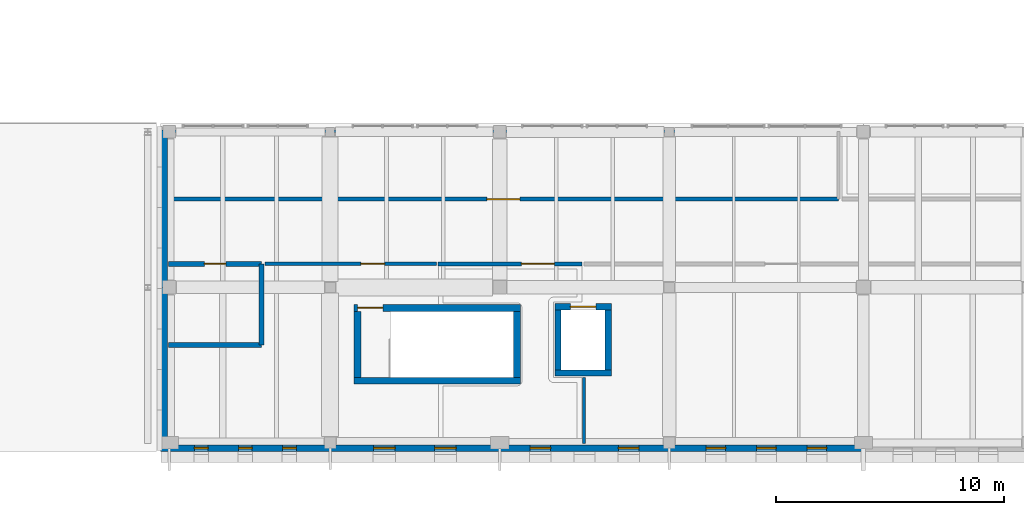
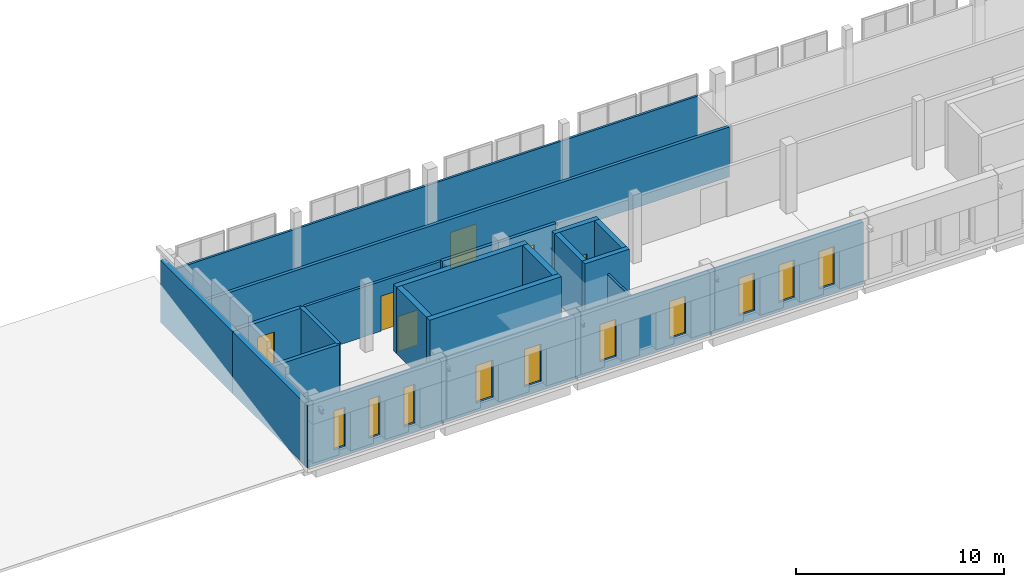
# One storey, part 39 of 56: 22 walls, 10 windows, 6 doors, 16 openings.
"""IFC4 building model written with IfcOpenShell, lengths in metres."""

from ifc_helpers import new_model, si_unit, direction, frame, frame_2d, origin, place, context, subcontext, project, spatial, rectangle, extrude, material, layer, layer_set, type_object, element, fill, save


model = new_model("IFC4")

# Units and contexts
model_context = context("Model", 3, precision=1e-05, world=origin(), true_north=direction((0.0, 1.0)))
body_context = subcontext(model_context, "Body", "Model", "MODEL_VIEW")
ifc_project = project(units=[si_unit("LENGTHUNIT", "METRE"), si_unit("AREAUNIT", "SQUARE_METRE"), si_unit("VOLUMEUNIT", "CUBIC_METRE"), si_unit("PLANEANGLEUNIT", "RADIAN"), si_unit("MASSUNIT", "GRAM", prefix="KILO")], contexts=[model_context])

# Site, building, storey
site_placement = place(None, origin())
site = spatial("IfcSite", under=ifc_project, at=site_placement, CompositionType="ELEMENT")
building_placement = place(site_placement, origin())
building = spatial("IfcBuilding", under=site, at=building_placement, Name="Vardoun Plaza Health Centre", CompositionType="ELEMENT")
storey_placement = place(building_placement, frame((0.0, 0.0, 8.699951171875)))
storey = spatial("IfcBuildingStorey", under=building, at=storey_placement, Name="L02", CompositionType="ELEMENT", Elevation=8.699951171875)

# Walls
ifc_material_1 = material(Name="Concrete C40/50", Category="concrete")
ifc_layer_1 = layer(ifc_material_1, 0.27001953125)
ifc_layer_set_1 = layer_set([ifc_layer_1], Name="Concrete C40/50")
wall_type_1 = type_object("IfcWallType", Name="SW-03", PredefinedType="SHEAR", material=ifc_layer_set_1)
wall_1_placement = place(storey_placement, frame((125.43505859375, 7.949951171875, 0.0), z_axis=(0.0, 0.0, 1.0), x_axis=(-1.0, 0.0, 0.0)))
element("IfcWall", 1, at=wall_1_placement, inside=storey, type_object=wall_type_1, Name="Lift LP-04 L02 Shaft Wall S", PredefinedType="SHEAR", context=body_context, shape_type="SweptSolid", body=[
    extrude(rectangle(XDim=2.469970703125, YDim=0.27001953125, at=frame_2d((1.23486328125, 0.0))), origin(), (0.0, 0.0, 1.0), 3.905029296875),
])
wall_2_placement = place(storey_placement, frame((123.10009765625, 8.0849609375, 0.0), z_axis=(0.0, 0.0, 1.0), x_axis=(0.0, 1.0, 0.0)))
element("IfcWall", 2, at=wall_2_placement, inside=storey, type_object=wall_type_1, Name="Lift LP-04 L02 Shaft Wall W", PredefinedType="SHEAR", context=body_context, shape_type="SweptSolid", body=[
    extrude(rectangle(XDim=2.630126953125, YDim=0.27001953125, at=frame_2d((1.31494140625, 0.0))), origin(), (0.0, 0.0, 1.0), 3.905029296875),
])

# Wall, opening, door
wall_3_placement = place(storey_placement, frame((122.965087890625, 10.85009765625, 0.0), z_axis=(0.0, 0.0, 1.0), x_axis=(1.0, 0.0, 0.0)))
wall_3 = element("IfcWall", 3, at=wall_3_placement, inside=storey, type_object=wall_type_1, Name="Lift LP-04 L02 Shaft Wall N", PredefinedType="SHEAR", context=body_context, shape_type="SweptSolid", body=[
    extrude(rectangle(XDim=2.469970703125, YDim=0.27001953125, at=frame_2d((1.23486328125, 0.0))), origin(), (0.0, 0.0, 1.0), 3.905029296875),
])
opening_1_placement = place(wall_3_placement, frame((0.675048828125, 0.0, 0.0)))
opening_1 = element("IfcOpeningElement", 4, at=opening_1_placement, cuts=wall_3, Name="Opening LD-LP-04-L02", PredefinedType="OPENING", context=body_context, shape_type="SweptSolid", body=[
    extrude(rectangle(XDim=1.1201171875, YDim=2.10009765625, at=frame_2d((0.56005859375, 1.050048828125))), frame((0.0, 0.135009765625, 0.0), z_axis=(0.0, -1.0, 0.0), x_axis=(1.0, 0.0, 0.0)), (0.0, 0.0, 1.0), 0.27001953125),
])
ifc_material_2 = material(Name="Brushed Stainless Steel Grade 316L", Category="steel")
door_type_1 = type_object("IfcDoorType", Name="LD-01", OperationType="DOUBLE_DOOR_SLIDING", PredefinedType="DOOR", material=ifc_material_2)
door_1_placement = place(opening_1_placement, origin())
door_1 = element("IfcDoor", 5, at=door_1_placement, inside=storey, type_object=door_type_1, Name="Lift LP-04 L02 Sliding Landing Door", OperationType="DOUBLE_DOOR_SLIDING", OverallHeight=2.10009765625, OverallWidth=1.1201171875, PredefinedType="DOOR", context=body_context, shape_type="SweptSolid", body=[
    extrude(rectangle(XDim=1.1201171875, YDim=2.10009765625, at=frame_2d((0.56005859375, 1.050048828125))), frame((0.0, 0.02490234375, 0.0), z_axis=(0.0, -1.0, 0.0), x_axis=(1.0, 0.0, 0.0)), (0.0, 0.0, 1.0), 0.050048828125),
])
fill(opening_1, door_1)

# Walls
wall_4_placement = place(storey_placement, frame((125.300048828125, 10.715087890625, 0.0), z_axis=(0.0, 0.0, 1.0), x_axis=(0.0, -1.0, 0.0)))
element("IfcWall", 6, at=wall_4_placement, inside=storey, type_object=wall_type_1, Name="Lift LP-04 L02 Shaft Wall E", PredefinedType="SHEAR", context=body_context, shape_type="SweptSolid", body=[
    extrude(rectangle(XDim=2.630126953125, YDim=0.27001953125, at=frame_2d((1.31494140625, 0.0))), origin(), (0.0, 0.0, 1.0), 3.905029296875),
])
ifc_material_3 = material(Name="Concrete C40/50", Category="concrete")
ifc_layer_2 = layer(ifc_material_3, 0.300048828125)
ifc_layer_set_2 = layer_set([ifc_layer_2], Name="Concrete C40/50")
wall_type_2 = type_object("IfcWallType", Name="SW-01", PredefinedType="SHEAR", material=ifc_layer_set_2)
wall_5_placement = place(storey_placement, frame((121.449951171875, 7.60009765625, 0.0), z_axis=(0.0, 0.0, 1.0), x_axis=(-1.0, 0.0, 0.0)))
element("IfcWall", 7, at=wall_5_placement, inside=storey, type_object=wall_type_2, Name="Core C8 L02 Shear Wall S", PredefinedType="SHEAR", context=body_context, shape_type="SweptSolid", body=[
    extrude(rectangle(XDim=7.300048828125, YDim=0.300048828125, at=frame_2d((3.64990234375, 0.0))), origin(), (0.0, 0.0, 1.0), 3.905029296875),
])
wall_6_placement = place(storey_placement, frame((114.300048828125, 7.75, 0.0), z_axis=(0.0, 0.0, 1.0), x_axis=(0.0, 1.0, 0.0)))
element("IfcWall", 8, at=wall_6_placement, inside=storey, type_object=wall_type_2, Name="Core C8 L02 Shear Wall W", PredefinedType="SHEAR", context=body_context, shape_type="SweptSolid", body=[
    extrude(rectangle(XDim=2.89990234375, YDim=0.300048828125, at=frame_2d((1.449951171875, 0.0))), origin(), (0.0, 0.0, 1.0), 3.905029296875),
])

# Wall, opening, door
wall_7_placement = place(storey_placement, frame((114.14990234375, 10.800048828125, 0.0), z_axis=(0.0, 0.0, 1.0), x_axis=(1.0, 0.0, 0.0)))
wall_7 = element("IfcWall", 9, at=wall_7_placement, inside=storey, type_object=wall_type_2, Name="Core C8 L02 Shear Wall N", PredefinedType="SHEAR", context=body_context, shape_type="SweptSolid", body=[
    extrude(rectangle(XDim=7.300048828125, YDim=0.300048828125, at=frame_2d((3.64990234375, 0.0))), origin(), (0.0, 0.0, 1.0), 3.905029296875),
])
opening_2_placement = place(wall_7_placement, frame((0.159912109375, 0.0, 0.0)))
opening_2 = element("IfcOpeningElement", 10, at=opening_2_placement, cuts=wall_7, Name="Opening SD-C8-L02", PredefinedType="OPENING", context=body_context, shape_type="SweptSolid", body=[
    extrude(rectangle(XDim=1.10009765625, YDim=2.050048828125, at=frame_2d((0.550048828125, 1.02490234375))), frame((0.0, 0.14990234375, 0.0), z_axis=(0.0, -1.0, 0.0), x_axis=(1.0, 0.0, 0.0)), (0.0, 0.0, 1.0), 0.300048828125),
])
ifc_material_4 = material(Name="Brushed Stainless Steel Grade 316L", Category="steel")
door_type_2 = type_object("IfcDoorType", Name="FD-01", OperationType="NOTDEFINED", PredefinedType="DOOR", material=ifc_material_4)
door_2_placement = place(opening_2_placement, origin())
door_2 = element("IfcDoor", 11, at=door_2_placement, inside=storey, type_object=door_type_2, Name="Stair C8 L02 Fire Door", OperationType="SINGLE_SWING_RIGHT", OverallHeight=2.050048828125, OverallWidth=1.10009765625, PredefinedType="DOOR", context=body_context, shape_type="SweptSolid", body=[
    extrude(rectangle(XDim=1.10009765625, YDim=2.050048828125, at=frame_2d((0.550048828125, 1.02490234375))), frame((0.0, 0.02490234375, 0.0), z_axis=(0.0, -1.0, 0.0), x_axis=(1.0, 0.0, 0.0)), (0.0, 0.0, 1.0), 0.050048828125),
])
fill(opening_2, door_2)

# Wall
wall_8_placement = place(storey_placement, frame((121.300048828125, 10.64990234375, 0.0), z_axis=(0.0, 0.0, 1.0), x_axis=(0.0, -1.0, 0.0)))
element("IfcWall", 12, at=wall_8_placement, inside=storey, type_object=wall_type_2, Name="Core C8 L02 Shear Wall E", PredefinedType="SHEAR", context=body_context, shape_type="SweptSolid", body=[
    extrude(rectangle(XDim=2.89990234375, YDim=0.300048828125, at=frame_2d((1.449951171875, 0.0))), origin(), (0.0, 0.0, 1.0), 3.905029296875),
])

# Wall, openings, windows
ifc_material_5 = material(Name="Pale Limestone Concrete C35/45", Category="masonry")
ifc_layer_3 = layer(ifc_material_5, 0.294921875)
ifc_layer_set_3 = layer_set([ifc_layer_3], Name="Pale Limestone Concrete C35/45")
wall_type_3 = type_object("IfcWallType", Name="EW-04", PredefinedType="STANDARD", material=ifc_layer_set_3)
wall_9_placement = place(storey_placement, frame((136.5, 4.6474609375, 0.0), z_axis=(0.0, 0.0, 1.0), x_axis=(-1.0, 0.0, 0.0)))
wall_9 = element("IfcWall", 13, at=wall_9_placement, inside=storey, type_object=wall_type_3, Name="V5 L02 Exterior Wall EW-V5-398", PredefinedType="STANDARD", context=body_context, shape_type="SweptSolid", body=[
    extrude(rectangle(XDim=8.52001953125, YDim=0.294921875, at=frame_2d((4.260009765625, 0.0))), origin(), (0.0, 0.0, 1.0), 3.6318359375),
])
opening_3_placement = place(wall_9_placement, frame((1.61474609375, 0.0, 0.550048828125)))
opening_3 = element("IfcOpeningElement", 14, at=opening_3_placement, cuts=wall_9, Name="Opening W-08-011", PredefinedType="OPENING", context=body_context, shape_type="SweptSolid", body=[
    extrude(rectangle(XDim=0.860107421875, YDim=2.199951171875, at=frame_2d((0.43017578125, 1.10009765625))), frame((0.0, 0.1474609375, 0.0), z_axis=(0.0, -1.0, 0.0), x_axis=(1.0, 0.0, 0.0)), (0.0, 0.0, 1.0), 0.294921875),
])
opening_4_placement = place(wall_9_placement, frame((3.830078125, 0.0, 0.550048828125)))
opening_4 = element("IfcOpeningElement", 15, at=opening_4_placement, cuts=wall_9, Name="Opening W-08-012", PredefinedType="OPENING", context=body_context, shape_type="SweptSolid", body=[
    extrude(rectangle(XDim=0.860107421875, YDim=2.199951171875, at=frame_2d((0.43017578125, 1.10009765625))), frame((0.0, 0.1474609375, 0.0), z_axis=(0.0, -1.0, 0.0), x_axis=(1.0, 0.0, 0.0)), (0.0, 0.0, 1.0), 0.294921875),
])
opening_5_placement = place(wall_9_placement, frame((6.045166015625, 0.0, 0.550048828125)))
opening_5 = element("IfcOpeningElement", 16, at=opening_5_placement, cuts=wall_9, Name="Opening W-08-013", PredefinedType="OPENING", context=body_context, shape_type="SweptSolid", body=[
    extrude(rectangle(XDim=0.860107421875, YDim=2.199951171875, at=frame_2d((0.43017578125, 1.10009765625))), frame((0.0, 0.1474609375, 0.0), z_axis=(0.0, -1.0, 0.0), x_axis=(1.0, 0.0, 0.0)), (0.0, 0.0, 1.0), 0.294921875),
])
ifc_material_6 = material(Name="Aluminium Alloy EN AW-6063-T6 and Low-E Glass", Category="aluminium")
window_type_1 = type_object("IfcWindowType", Name="W-08", PartitioningType="SINGLE_PANEL", PredefinedType="WINDOW", material=ifc_material_6)
window_1_placement = place(opening_3_placement, origin())
window_1 = element("IfcWindow", 17, at=window_1_placement, inside=storey, type_object=window_type_1, Name="V5 L02 Deep-Punched Slot Window W-08-614", OverallHeight=2.199951171875, OverallWidth=0.860107421875, PartitioningType="SINGLE_PANEL", PredefinedType="WINDOW", context=body_context, shape_type="SweptSolid", body=[
    extrude(rectangle(XDim=0.860107421875, YDim=2.199951171875, at=frame_2d((0.43017578125, 1.10009765625))), frame((0.0, 0.030029296875, 0.0), z_axis=(0.0, -1.0, 0.0), x_axis=(1.0, 0.0, 0.0)), (0.0, 0.0, 1.0), 0.06005859375),
])
fill(opening_3, window_1)
window_2_placement = place(opening_4_placement, origin())
window_2 = element("IfcWindow", 18, at=window_2_placement, inside=storey, type_object=window_type_1, Name="V5 L02 Deep-Punched Slot Window W-08-615", OverallHeight=2.199951171875, OverallWidth=0.860107421875, PartitioningType="SINGLE_PANEL", PredefinedType="WINDOW", context=body_context, shape_type="SweptSolid", body=[
    extrude(rectangle(XDim=0.860107421875, YDim=2.199951171875, at=frame_2d((0.43017578125, 1.10009765625))), frame((0.0, 0.030029296875, 0.0), z_axis=(0.0, -1.0, 0.0), x_axis=(1.0, 0.0, 0.0)), (0.0, 0.0, 1.0), 0.06005859375),
])
fill(opening_4, window_2)
window_3_placement = place(opening_5_placement, origin())
window_3 = element("IfcWindow", 19, at=window_3_placement, inside=storey, type_object=window_type_1, Name="V5 L02 Deep-Punched Slot Window W-08-616", OverallHeight=2.199951171875, OverallWidth=0.860107421875, PartitioningType="SINGLE_PANEL", PredefinedType="WINDOW", context=body_context, shape_type="SweptSolid", body=[
    extrude(rectangle(XDim=0.860107421875, YDim=2.199951171875, at=frame_2d((0.43017578125, 1.10009765625))), frame((0.0, 0.030029296875, 0.0), z_axis=(0.0, -1.0, 0.0), x_axis=(1.0, 0.0, 0.0)), (0.0, 0.0, 1.0), 0.06005859375),
])
fill(opening_5, window_3)

wall_10_placement = place(storey_placement, frame((127.97998046875, 4.6474609375, 0.0), z_axis=(0.0, 0.0, 1.0), x_axis=(-1.0, 0.0, 0.0)))
wall_10 = element("IfcWall", 20, at=wall_10_placement, inside=storey, type_object=wall_type_3, Name="V5 L02 Exterior Wall EW-V5-399", PredefinedType="STANDARD", context=body_context, shape_type="SweptSolid", body=[
    extrude(rectangle(XDim=7.43994140625, YDim=0.294921875, at=frame_2d((3.719970703125, 0.0))), origin(), (0.0, 0.0, 1.0), 3.6318359375),
])
opening_6_placement = place(wall_10_placement, frame((1.335693359375, 0.0, 0.550048828125)))
opening_6 = element("IfcOpeningElement", 21, at=opening_6_placement, cuts=wall_10, Name="Opening W-09-010", PredefinedType="OPENING", context=body_context, shape_type="SweptSolid", body=[
    extrude(rectangle(XDim=0.89990234375, YDim=2.179931640625, at=frame_2d((0.449951171875, 1.08984375))), frame((0.0, 0.1474609375, 0.0), z_axis=(0.0, -1.0, 0.0), x_axis=(1.0, 0.0, 0.0)), (0.0, 0.0, 1.0), 0.294921875),
])
opening_7_placement = place(wall_10_placement, frame((5.204345703125, 0.0, 0.550048828125)))
opening_7 = element("IfcOpeningElement", 22, at=opening_7_placement, cuts=wall_10, Name="Opening W-09-011", PredefinedType="OPENING", context=body_context, shape_type="SweptSolid", body=[
    extrude(rectangle(XDim=0.89990234375, YDim=2.179931640625, at=frame_2d((0.449951171875, 1.08984375))), frame((0.0, 0.1474609375, 0.0), z_axis=(0.0, -1.0, 0.0), x_axis=(1.0, 0.0, 0.0)), (0.0, 0.0, 1.0), 0.294921875),
])
ifc_material_7 = material(Name="Aluminium Alloy EN AW-6063-T6 and Low-E Glass", Category="aluminium")
window_type_2 = type_object("IfcWindowType", Name="W-09", PartitioningType="DOUBLE_PANEL_VERTICAL", PredefinedType="WINDOW", material=ifc_material_7)
window_4_placement = place(opening_6_placement, origin())
window_4 = element("IfcWindow", 23, at=window_4_placement, inside=storey, type_object=window_type_2, Name="V5 L02 Deep-Punched Slot Window W-09-617", OverallHeight=2.179931640625, OverallWidth=0.89990234375, PartitioningType="DOUBLE_PANEL_VERTICAL", PredefinedType="WINDOW", context=body_context, shape_type="SweptSolid", body=[
    extrude(rectangle(XDim=0.89990234375, YDim=2.179931640625, at=frame_2d((0.449951171875, 1.08984375))), frame((0.0, 0.030029296875, 0.0), z_axis=(0.0, -1.0, 0.0), x_axis=(1.0, 0.0, 0.0)), (0.0, 0.0, 1.0), 0.06005859375),
])
fill(opening_6, window_4)
window_5_placement = place(opening_7_placement, origin())
window_5 = element("IfcWindow", 24, at=window_5_placement, inside=storey, type_object=window_type_2, Name="V5 L02 Deep-Punched Slot Window W-09-619", OverallHeight=2.179931640625, OverallWidth=0.89990234375, PartitioningType="DOUBLE_PANEL_VERTICAL", PredefinedType="WINDOW", context=body_context, shape_type="SweptSolid", body=[
    extrude(rectangle(XDim=0.89990234375, YDim=2.179931640625, at=frame_2d((0.449951171875, 1.08984375))), frame((0.0, 0.030029296875, 0.0), z_axis=(0.0, -1.0, 0.0), x_axis=(1.0, 0.0, 0.0)), (0.0, 0.0, 1.0), 0.06005859375),
])
fill(opening_7, window_5)

wall_11_placement = place(storey_placement, frame((120.5400390625, 4.6474609375, 0.0), z_axis=(0.0, 0.0, 1.0), x_axis=(-1.0, 0.0, 0.0)))
wall_11 = element("IfcWall", 25, at=wall_11_placement, inside=storey, type_object=wall_type_3, Name="V5 L02 Exterior Wall EW-V5-400", PredefinedType="STANDARD", context=body_context, shape_type="SweptSolid", body=[
    extrude(rectangle(XDim=7.43994140625, YDim=0.294921875, at=frame_2d((3.719970703125, 0.0))), origin(), (0.0, 0.0, 1.0), 3.6318359375),
])
opening_8_placement = place(wall_11_placement, frame((1.910888671875, 0.0, 0.550048828125)))
opening_8 = element("IfcOpeningElement", 26, at=opening_8_placement, cuts=wall_11, Name="Opening W-10-007", PredefinedType="OPENING", context=body_context, shape_type="SweptSolid", body=[
    extrude(rectangle(XDim=0.93994140625, YDim=2.179931640625, at=frame_2d((0.469970703125, 1.08984375))), frame((0.0, 0.1474609375, 0.0), z_axis=(0.0, -1.0, 0.0), x_axis=(1.0, 0.0, 0.0)), (0.0, 0.0, 1.0), 0.294921875),
])
opening_9_placement = place(wall_11_placement, frame((4.589111328125, 0.0, 0.550048828125)))
opening_9 = element("IfcOpeningElement", 27, at=opening_9_placement, cuts=wall_11, Name="Opening W-10-008", PredefinedType="OPENING", context=body_context, shape_type="SweptSolid", body=[
    extrude(rectangle(XDim=0.93994140625, YDim=2.179931640625, at=frame_2d((0.469970703125, 1.08984375))), frame((0.0, 0.1474609375, 0.0), z_axis=(0.0, -1.0, 0.0), x_axis=(1.0, 0.0, 0.0)), (0.0, 0.0, 1.0), 0.294921875),
])
ifc_material_8 = material(Name="Aluminium Alloy EN AW-6063-T6 and Low-E Glass", Category="aluminium")
window_type_3 = type_object("IfcWindowType", Name="W-10", PartitioningType="DOUBLE_PANEL_VERTICAL", PredefinedType="WINDOW", material=ifc_material_8)
window_6_placement = place(opening_8_placement, origin())
window_6 = element("IfcWindow", 28, at=window_6_placement, inside=storey, type_object=window_type_3, Name="V5 L02 Deep-Punched Slot Window W-10-620", OverallHeight=2.179931640625, OverallWidth=0.93994140625, PartitioningType="DOUBLE_PANEL_VERTICAL", PredefinedType="WINDOW", context=body_context, shape_type="SweptSolid", body=[
    extrude(rectangle(XDim=0.93994140625, YDim=2.179931640625, at=frame_2d((0.469970703125, 1.08984375))), frame((0.0, 0.030029296875, 0.0), z_axis=(0.0, -1.0, 0.0), x_axis=(1.0, 0.0, 0.0)), (0.0, 0.0, 1.0), 0.06005859375),
])
fill(opening_8, window_6)
window_7_placement = place(opening_9_placement, origin())
window_7 = element("IfcWindow", 29, at=window_7_placement, inside=storey, type_object=window_type_3, Name="V5 L02 Deep-Punched Slot Window W-10-621", OverallHeight=2.179931640625, OverallWidth=0.93994140625, PartitioningType="DOUBLE_PANEL_VERTICAL", PredefinedType="WINDOW", context=body_context, shape_type="SweptSolid", body=[
    extrude(rectangle(XDim=0.93994140625, YDim=2.179931640625, at=frame_2d((0.469970703125, 1.08984375))), frame((0.0, 0.030029296875, 0.0), z_axis=(0.0, -1.0, 0.0), x_axis=(1.0, 0.0, 0.0)), (0.0, 0.0, 1.0), 0.06005859375),
])
fill(opening_9, window_7)

wall_12_placement = place(storey_placement, frame((113.10009765625, 4.6474609375, 0.0), z_axis=(0.0, 0.0, 1.0), x_axis=(-1.0, 0.0, 0.0)))
wall_12 = element("IfcWall", 30, at=wall_12_placement, inside=storey, type_object=wall_type_3, Name="V5 L02 Exterior Wall EW-V5-401", PredefinedType="STANDARD", context=body_context, shape_type="SweptSolid", body=[
    extrude(rectangle(XDim=7.440185546875, YDim=0.294921875, at=frame_2d((3.72021484375, 0.0))), origin(), (0.0, 0.0, 1.0), 3.6318359375),
])
opening_10_placement = place(wall_12_placement, frame((1.485595703125, 0.0, 0.550048828125)))
opening_10 = element("IfcOpeningElement", 31, at=opening_10_placement, cuts=wall_12, Name="Opening W-11-017", PredefinedType="OPENING", context=body_context, shape_type="SweptSolid", body=[
    extrude(rectangle(XDim=0.60009765625, YDim=2.280029296875, at=frame_2d((0.300048828125, 1.14013671875))), frame((0.0, 0.1474609375, 0.0), z_axis=(0.0, -1.0, 0.0), x_axis=(1.0, 0.0, 0.0)), (0.0, 0.0, 1.0), 0.294921875),
])
opening_11_placement = place(wall_12_placement, frame((3.419921875, 0.0, 0.550048828125)))
opening_11 = element("IfcOpeningElement", 32, at=opening_11_placement, cuts=wall_12, Name="Opening W-11-018", PredefinedType="OPENING", context=body_context, shape_type="SweptSolid", body=[
    extrude(rectangle(XDim=0.60009765625, YDim=2.280029296875, at=frame_2d((0.300048828125, 1.14013671875))), frame((0.0, 0.1474609375, 0.0), z_axis=(0.0, -1.0, 0.0), x_axis=(1.0, 0.0, 0.0)), (0.0, 0.0, 1.0), 0.294921875),
])
opening_12_placement = place(wall_12_placement, frame((5.3544921875, 0.0, 0.550048828125)))
opening_12 = element("IfcOpeningElement", 33, at=opening_12_placement, cuts=wall_12, Name="Opening W-11-019", PredefinedType="OPENING", context=body_context, shape_type="SweptSolid", body=[
    extrude(rectangle(XDim=0.60009765625, YDim=2.280029296875, at=frame_2d((0.300048828125, 1.14013671875))), frame((0.0, 0.1474609375, 0.0), z_axis=(0.0, -1.0, 0.0), x_axis=(1.0, 0.0, 0.0)), (0.0, 0.0, 1.0), 0.294921875),
])
ifc_material_9 = material(Name="Aluminium Alloy EN AW-6063-T6 and Low-E Glass", Category="aluminium")
window_type_4 = type_object("IfcWindowType", Name="W-11", PartitioningType="SINGLE_PANEL", PredefinedType="WINDOW", material=ifc_material_9)
window_8_placement = place(opening_10_placement, origin())
window_8 = element("IfcWindow", 34, at=window_8_placement, inside=storey, type_object=window_type_4, Name="V5 L02 Deep-Punched Slot Window W-11-622", OverallHeight=2.280029296875, OverallWidth=0.60009765625, PartitioningType="SINGLE_PANEL", PredefinedType="WINDOW", context=body_context, shape_type="SweptSolid", body=[
    extrude(rectangle(XDim=0.60009765625, YDim=2.280029296875, at=frame_2d((0.300048828125, 1.14013671875))), frame((0.0, 0.030029296875, 0.0), z_axis=(0.0, -1.0, 0.0), x_axis=(1.0, 0.0, 0.0)), (0.0, 0.0, 1.0), 0.06005859375),
])
fill(opening_10, window_8)
window_9_placement = place(opening_11_placement, origin())
window_9 = element("IfcWindow", 35, at=window_9_placement, inside=storey, type_object=window_type_4, Name="V5 L02 Deep-Punched Slot Window W-11-623", OverallHeight=2.280029296875, OverallWidth=0.60009765625, PartitioningType="SINGLE_PANEL", PredefinedType="WINDOW", context=body_context, shape_type="SweptSolid", body=[
    extrude(rectangle(XDim=0.60009765625, YDim=2.280029296875, at=frame_2d((0.300048828125, 1.14013671875))), frame((0.0, 0.030029296875, 0.0), z_axis=(0.0, -1.0, 0.0), x_axis=(1.0, 0.0, 0.0)), (0.0, 0.0, 1.0), 0.06005859375),
])
fill(opening_11, window_9)
window_10_placement = place(opening_12_placement, origin())
window_10 = element("IfcWindow", 36, at=window_10_placement, inside=storey, type_object=window_type_4, Name="V5 L02 Deep-Punched Slot Window W-11-624", OverallHeight=2.280029296875, OverallWidth=0.60009765625, PartitioningType="SINGLE_PANEL", PredefinedType="WINDOW", context=body_context, shape_type="SweptSolid", body=[
    extrude(rectangle(XDim=0.60009765625, YDim=2.280029296875, at=frame_2d((0.300048828125, 1.14013671875))), frame((0.0, 0.030029296875, 0.0), z_axis=(0.0, -1.0, 0.0), x_axis=(1.0, 0.0, 0.0)), (0.0, 0.0, 1.0), 0.06005859375),
])
fill(opening_12, window_10)

# Walls
for number, where, z_axis, x_axis, name in (
    (37, (105.8076171875, 4.794921875, 0.0), (0.0, 0.0, 1.0), (0.0, 1.0, 0.0), "V5 L02 Exterior Wall EW-V5-402"),
    (38, (105.8076171875, 11.699951171875, 0.0), (0.0, 0.0, 1.0), (0.0, 1.0, 0.0), "V5 L02 Exterior Wall EW-V5-403"),
):
    element("IfcWall", number, at=place(storey_placement, frame(where, z_axis=z_axis, x_axis=x_axis)), inside=storey, type_object=wall_type_3, Name=name, PredefinedType="STANDARD", context=body_context, shape_type="SweptSolid", body=[
        extrude(rectangle(XDim=6.905029296875, YDim=0.294921875, at=frame_2d((3.45263671875, 0.0))), origin(), (0.0, 0.0, 1.0), 3.6318359375),
    ])

# Wall, opening, door
ifc_material_10 = material(Name="Acoustic Gypsum Twin-Stud", Category="steel")
ifc_layer_4 = layer(ifc_material_10, 0.14990234375)
ifc_layer_set_4 = layer_set([ifc_layer_4], Name="Acoustic Gypsum Twin-Stud")
wall_type_4 = type_object("IfcWallType", Name="IW-04", PredefinedType="PARTITIONING", material=ifc_layer_set_4)
wall_13_placement = place(storey_placement, frame((110.2333984375, 12.72998046875, 0.0), z_axis=(0.0, 0.0, 1.0), x_axis=(1.0, 0.0, 0.0)))
wall_13 = element("IfcWall", 39, at=wall_13_placement, inside=storey, type_object=wall_type_4, Name="Step-Down Recovery Lounge Partition Wall", PredefinedType="PARTITIONING", context=body_context, shape_type="SweptSolid", body=[
    extrude(rectangle(XDim=7.526611328125, YDim=0.14990234375, at=frame_2d((3.76318359375, 0.0))), origin(), (0.0, 0.0, 1.0), 2.925048828125),
])
opening_13_placement = place(wall_13_placement, frame((4.21630859375, 0.0, 0.0)))
opening_13 = element("IfcOpeningElement", 40, at=opening_13_placement, cuts=wall_13, Name="Opening D-L02-153", PredefinedType="OPENING", context=body_context, shape_type="SweptSolid", body=[
    extrude(rectangle(XDim=1.0400390625, YDim=2.050048828125, at=frame_2d((0.52001953125, 1.02490234375))), frame((0.0, 0.074951171875, 0.0), z_axis=(0.0, -1.0, 0.0), x_axis=(1.0, 0.0, 0.0)), (0.0, 0.0, 1.0), 0.14990234375),
])
ifc_material_11 = material(Name="Antimicrobial Acoustic Timber and Steel S275JR", Category="steel")
door_type_3 = type_object("IfcDoorType", Name="CD-04", OperationType="NOTDEFINED", PredefinedType="DOOR", material=ifc_material_11)
door_3_placement = place(opening_13_placement, origin())
door_3 = element("IfcDoor", 41, at=door_3_placement, inside=storey, type_object=door_type_3, Name="Step-Down Recovery Lounge Door D-L02-153", OperationType="SINGLE_SWING_RIGHT", OverallHeight=2.050048828125, OverallWidth=1.0400390625, PredefinedType="DOOR", context=body_context, shape_type="SweptSolid", body=[
    extrude(rectangle(XDim=1.0400390625, YDim=2.050048828125, at=frame_2d((0.52001953125, 1.02490234375))), frame((0.0, 0.02490234375, 0.0), z_axis=(0.0, -1.0, 0.0), x_axis=(1.0, 0.0, 0.0)), (0.0, 0.0, 1.0), 0.050048828125),
])
fill(opening_13, door_3)

# Walls
ifc_material_12 = material(Name="Standard Clinical Sub-Partition", Category="steel")
ifc_layer_5 = layer(ifc_material_12, 0.125)
ifc_layer_set_5 = layer_set([ifc_layer_5], Name="Standard Clinical Sub-Partition")
wall_type_5 = type_object("IfcWallType", Name="IW-11", PredefinedType="PARTITIONING", material=ifc_layer_set_5)
wall_14_placement = place(storey_placement, frame((124.239990234375, 4.85009765625, 0.0), z_axis=(0.0, 0.0, 1.0), x_axis=(0.0, 1.0, 0.0)))
element("IfcWall", 42, at=wall_14_placement, inside=storey, type_object=wall_type_5, Name="Day Surgery Operating Theatre 1 Enclosure Partition", PredefinedType="PARTITIONING", context=body_context, shape_type="SweptSolid", body=[
    extrude(rectangle(XDim=2.89990234375, YDim=0.125, at=frame_2d((1.449951171875, 0.0))), origin(), (0.0, 0.0, 1.0), 2.925048828125),
])
wall_15_placement = place(storey_placement, frame((106.010009765625, 18.550048828125, 0.0), z_axis=(0.0, 0.0, 1.0), x_axis=(1.0, 0.0, 0.0)))
element("IfcWall", 43, at=wall_15_placement, inside=storey, type_object=wall_type_5, Name="Day Surgery Operating Theatre 3 Enclosure Partition", PredefinedType="PARTITIONING", context=body_context, shape_type="SweptSolid", body=[
    extrude(rectangle(XDim=29.389892578125, YDim=0.125, at=frame_2d((14.69482421875, 0.0))), origin(), (0.0, 0.0, 1.0), 2.925048828125),
])

# Wall, opening, door
ifc_material_13 = material(Name="Moisture-Resistant Plumbing Chase", Category="steel")
ifc_layer_6 = layer(ifc_material_13, 0.215087890625)
ifc_layer_set_6 = layer_set([ifc_layer_6], Name="Moisture-Resistant Plumbing Chase")
wall_type_6 = type_object("IfcWallType", Name="IW-06", PredefinedType="PLUMBINGWALL", material=ifc_layer_set_6)
wall_16_placement = place(storey_placement, frame((106.010009765625, 12.72998046875, 0.0), z_axis=(0.0, 0.0, 1.0), x_axis=(1.0, 0.0, 0.0)))
wall_16 = element("IfcWall", 44, at=wall_16_placement, inside=storey, type_object=wall_type_6, Name="Accessible WC L02-V5 Partition Wall", PredefinedType="PLUMBINGWALL", context=body_context, shape_type="SweptSolid", body=[
    extrude(rectangle(XDim=4.08349609375, YDim=0.215087890625, at=frame_2d((2.041748046875, 0.0))), origin(), (0.0, 0.0, 1.0), 2.925048828125),
])
opening_14_placement = place(wall_16_placement, frame((1.56689453125, 0.0, 0.0)))
opening_14 = element("IfcOpeningElement", 45, at=opening_14_placement, cuts=wall_16, Name="Opening D-L02-148", PredefinedType="OPENING", context=body_context, shape_type="SweptSolid", body=[
    extrude(rectangle(XDim=0.949951171875, YDim=2.050048828125, at=frame_2d((0.47509765625, 1.02490234375))), frame((0.0, 0.107421875, 0.0), z_axis=(0.0, -1.0, 0.0), x_axis=(1.0, 0.0, 0.0)), (0.0, 0.0, 1.0), 0.215087890625),
])
ifc_material_14 = material(Name="Antimicrobial Acoustic Timber and Steel S275JR", Category="steel")
door_type_4 = type_object("IfcDoorType", Name="CD-07", OperationType="NOTDEFINED", PredefinedType="DOOR", material=ifc_material_14)
door_4_placement = place(opening_14_placement, origin())
door_4 = element("IfcDoor", 46, at=door_4_placement, inside=storey, type_object=door_type_4, Name="Accessible WC L02-V5 Door D-L02-148", OperationType="SINGLE_SWING_RIGHT", OverallHeight=2.050048828125, OverallWidth=0.949951171875, PredefinedType="DOOR", context=body_context, shape_type="SweptSolid", body=[
    extrude(rectangle(XDim=0.949951171875, YDim=2.050048828125, at=frame_2d((0.47509765625, 1.02490234375))), frame((0.0, 0.02490234375, 0.0), z_axis=(0.0, -1.0, 0.0), x_axis=(1.0, 0.0, 0.0)), (0.0, 0.0, 1.0), 0.050048828125),
])
fill(opening_14, door_4)

# Walls
wall_17_placement = place(storey_placement, frame((110.093505859375, 12.72998046875, 0.0), z_axis=(0.0, 0.0, 1.0), x_axis=(0.0, -1.0, 0.0)))
element("IfcWall", 47, at=wall_17_placement, inside=storey, type_object=wall_type_6, Name="Accessible WC L02-V5 Enclosure Partition", PredefinedType="PLUMBINGWALL", context=body_context, shape_type="SweptSolid", body=[
    extrude(rectangle(XDim=3.55078125, YDim=0.215087890625, at=frame_2d((1.775390625, 0.0))), origin(), (0.0, 0.0, 1.0), 2.925048828125),
])
wall_18_placement = place(storey_placement, frame((110.093505859375, 9.17919921875, 0.0), z_axis=(0.0, 0.0, 1.0), x_axis=(-1.0, 0.0, 0.0)))
element("IfcWall", 48, at=wall_18_placement, inside=storey, type_object=wall_type_6, Name="Accessible WC L02-V5 Enclosure Partition", PredefinedType="PLUMBINGWALL", context=body_context, shape_type="SweptSolid", body=[
    extrude(rectangle(XDim=4.08349609375, YDim=0.215087890625, at=frame_2d((2.041748046875, 0.0))), origin(), (0.0, 0.0, 1.0), 2.925048828125),
])

# Wall, opening, door
ifc_material_15 = material(Name="Acoustic Fireboard Galvanised Steel S275JR Stud", Category="steel")
ifc_layer_7 = layer(ifc_material_15, 0.179931640625)
ifc_layer_set_7 = layer_set([ifc_layer_7], Name="Acoustic Fireboard Galvanised Steel S275JR Stud")
wall_type_7 = type_object("IfcWallType", Name="IW-02", PredefinedType="PARTITIONING", material=ifc_layer_set_7)
wall_19_placement = place(storey_placement, frame((135.39990234375, 15.570068359375, 0.0), z_axis=(0.0, 0.0, 1.0), x_axis=(-1.0, 0.0, 0.0)))
wall_19 = element("IfcWall", 49, at=wall_19_placement, inside=storey, type_object=wall_type_7, Name="Day Surgery Operating Theatre 3 Partition Wall", PredefinedType="PARTITIONING", context=body_context, shape_type="SweptSolid", body=[
    extrude(rectangle(XDim=29.389892578125, YDim=0.179931640625, at=frame_2d((14.69482421875, 0.0))), origin(), (0.0, 0.0, 1.0), 2.925048828125),
])
opening_15_placement = place(wall_19_placement, frame((13.969970703125, 0.0, 0.0)))
opening_15 = element("IfcOpeningElement", 50, at=opening_15_placement, cuts=wall_19, Name="Opening D-L02-151", PredefinedType="OPENING", context=body_context, shape_type="SweptSolid", body=[
    extrude(rectangle(XDim=1.449951171875, YDim=2.10009765625, at=frame_2d((0.72509765625, 1.050048828125))), frame((0.0, 0.08984375, 0.0), z_axis=(0.0, -1.0, 0.0), x_axis=(1.0, 0.0, 0.0)), (0.0, 0.0, 1.0), 0.179931640625),
])
ifc_material_16 = material(Name="Antimicrobial Acoustic Timber and Steel S275JR", Category="steel")
door_type_5 = type_object("IfcDoorType", Name="CD-01", OperationType="SLIDING_TO_LEFT", PredefinedType="DOOR", material=ifc_material_16)
door_5_placement = place(opening_15_placement, origin())
door_5 = element("IfcDoor", 51, at=door_5_placement, inside=storey, type_object=door_type_5, Name="Day Surgery Operating Theatre 3 Door D-L02-151", OperationType="SLIDING_TO_LEFT", OverallHeight=2.10009765625, OverallWidth=1.449951171875, PredefinedType="DOOR", context=body_context, shape_type="SweptSolid", body=[
    extrude(rectangle(XDim=1.449951171875, YDim=2.10009765625, at=frame_2d((0.72509765625, 1.050048828125))), frame((0.0, 0.02490234375, 0.0), z_axis=(0.0, -1.0, 0.0), x_axis=(1.0, 0.0, 0.0)), (0.0, 0.0, 1.0), 0.050048828125),
])
fill(opening_15, door_5)

wall_20_placement = place(storey_placement, frame((117.840087890625, 12.72998046875, 0.0), z_axis=(0.0, 0.0, 1.0), x_axis=(1.0, 0.0, 0.0)))
wall_20 = element("IfcWall", 52, at=wall_20_placement, inside=storey, type_object=wall_type_7, Name="Day Surgery Operating Theatre 1 A Partition Wall", PredefinedType="PARTITIONING", context=body_context, shape_type="SweptSolid", body=[
    extrude(rectangle(XDim=6.31982421875, YDim=0.179931640625, at=frame_2d((3.159912109375, 0.0))), origin(), (0.0, 0.0, 1.0), 2.925048828125),
])
opening_16_placement = place(wall_20_placement, frame((3.652587890625, 0.0, 0.0)))
opening_16 = element("IfcOpeningElement", 53, at=opening_16_placement, cuts=wall_20, Name="Opening D-L02-154", PredefinedType="OPENING", context=body_context, shape_type="SweptSolid", body=[
    extrude(rectangle(XDim=1.449951171875, YDim=2.10009765625, at=frame_2d((0.72509765625, 1.050048828125))), frame((0.0, 0.08984375, 0.0), z_axis=(0.0, -1.0, 0.0), x_axis=(1.0, 0.0, 0.0)), (0.0, 0.0, 1.0), 0.179931640625),
])
door_6_placement = place(opening_16_placement, origin())
door_6 = element("IfcDoor", 54, at=door_6_placement, inside=storey, type_object=door_type_5, Name="Day Surgery Operating Theatre 1 A Door D-L02-154", OperationType="SLIDING_TO_LEFT", OverallHeight=2.10009765625, OverallWidth=1.449951171875, PredefinedType="DOOR", context=body_context, shape_type="SweptSolid", body=[
    extrude(rectangle(XDim=1.449951171875, YDim=2.10009765625, at=frame_2d((0.72509765625, 1.050048828125))), frame((0.0, 0.02490234375, 0.0), z_axis=(0.0, -1.0, 0.0), x_axis=(1.0, 0.0, 0.0)), (0.0, 0.0, 1.0), 0.050048828125),
])
fill(opening_16, door_6)

save(model, "model.ifc")
